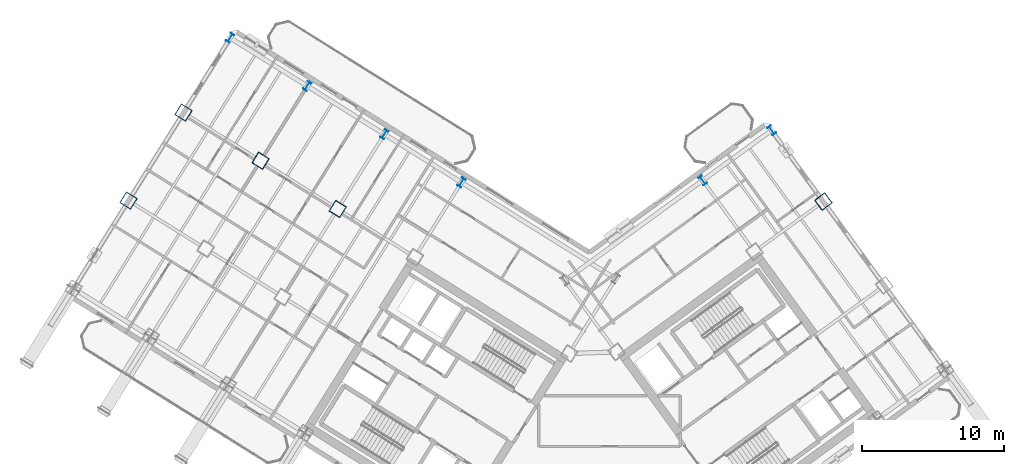
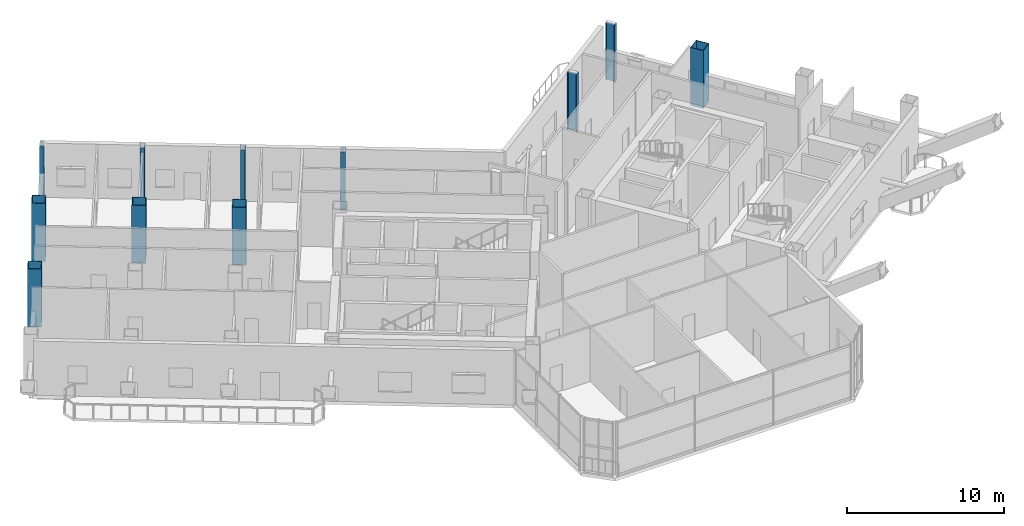
# One storey, part 2 of 32: 11 columns.
"""IFC4 building model written with IfcOpenShell, lengths in metres."""

from ifc_helpers import new_model, si_unit, direction, frame, origin, origin_2d, place, context, subcontext, project, spatial, hollow_rectangle, i_section, extrude, source, transform, mapped, material, material_profile, profile_set, type_object, element, save


model = new_model("IFC4")

# Units and contexts
model_context = context("Model", 3, precision=1e-05, world=origin(), true_north=direction((0.0, 1.0)))
body_context = subcontext(model_context, "Body", "Model", "MODEL_VIEW")
ifc_project = project(units=[si_unit("LENGTHUNIT", "METRE"), si_unit("AREAUNIT", "SQUARE_METRE"), si_unit("VOLUMEUNIT", "CUBIC_METRE"), si_unit("PLANEANGLEUNIT", "RADIAN"), si_unit("MASSUNIT", "GRAM", prefix="KILO")], contexts=[model_context])

# Site, building, storey
site_placement = place(None, origin())
site = spatial("IfcSite", under=ifc_project, at=site_placement, CompositionType="ELEMENT")
building_placement = place(site_placement, origin())
building = spatial("IfcBuilding", under=site, at=building_placement, Name="Tlacorven Tower", CompositionType="ELEMENT")
storey_placement = place(building_placement, frame((0.0, 0.0, 123.300048828125)))
storey = spatial("IfcBuildingStorey", under=building, at=storey_placement, Name="L31", CompositionType="ELEMENT", Elevation=123.300048828125)

# Columns
ifc_material = material(Name="Steel S460M", Category="steel")
ifc_material_profile_1 = material_profile(ifc_material, i_section(OverallWidth=0.300048828125, OverallDepth=0.64990234375, WebThickness=0.01611328125, FlangeThickness=0.031005859375, at=origin_2d()), Name="HEB 650")
ifc_profile_set_1 = profile_set([ifc_material_profile_1], Name="Steel S460M")
column_type_1 = type_object("IfcColumnType", Name="COL-TWR-P1", PredefinedType="COLUMN", material=ifc_profile_set_1)
shared_shape_1 = source(origin(), body_context, "Body", "SweptSolid", [
    extrude(i_section(OverallWidth=0.300048828125, OverallDepth=0.64990234375, WebThickness=0.01611328125, FlangeThickness=0.031005859375, at=origin_2d()), origin(), (0.0, 0.0, 1.0), 4.5),
])
for number, where, z_axis, x_axis, name in (
    (1, (33.21337890625, 36.50927734375, 0.0), (0.0, 0.0, 1.0), (-0.848048096156, 0.529919264233, 0.0), "L31 column COL-L31-W3-1"),
    (2, (27.785888671875, 39.900634765625, 0.0), (0.0, 0.0, 1.0), (-0.848048096156, 0.529919264233, 0.0), "L31 column COL-L31-W4-1"),
    (3, (22.3583984375, 43.292236328125, 0.0), (0.0, 0.0, 1.0), (-0.848048096156, 0.529919264233, 0.0), "L31 column COL-L31-W5-1"),
    (4, (16.930908203125, 46.68359375, 0.0), (0.0, 0.0, 1.0), (-0.848048096156, 0.529919264233, 0.0), "L31 column COL-L31-W6-1"),
    (5, (50.187744140625, 36.654296875, 0.0), (0.0, 0.0, 1.0), (0.809016994375, 0.587785252292, 0.0), "L31 column COL-L31-E3-4"),
    (6, (55.041748046875, 40.18115234375, 0.0), (0.0, 0.0, 1.0), (0.809016994375, 0.587785252292, 0.0), "L31 column COL-L31-E4-4"),
):
    element("IfcColumn", number, at=place(storey_placement, frame(where, z_axis=z_axis, x_axis=x_axis)), inside=storey, type_object=column_type_1, Name=name, PredefinedType="COLUMN", context=body_context, shape_type="MappedRepresentation", body=[
        mapped(shared_shape_1, transform((0.0, 0.0, 0.0), scale=1.0)),
    ])
ifc_material_profile_2 = material_profile(ifc_material, hollow_rectangle(XDim=0.89990234375, YDim=0.89990234375, WallThickness=0.035888671875, at=origin_2d()), Name="BOX 900X900X36")
ifc_profile_set_2 = profile_set([ifc_material_profile_2], Name="Steel S460M")
column_type_2 = type_object("IfcColumnType", Name="COL-TWR-S2", PredefinedType="COLUMN", material=ifc_profile_set_2)
shared_shape_2 = source(origin(), body_context, "Body", "SweptSolid", [
    extrude(hollow_rectangle(XDim=0.89990234375, YDim=0.89990234375, WallThickness=0.035888671875, at=origin_2d()), origin(), (0.0, 0.0, 1.0), 4.5),
])
for number, where, z_axis, x_axis, name in (
    (7, (24.50048828125, 34.642822265625, 0.0), (0.0, 0.0, 1.0), (-0.848048096156, 0.529919264233, 0.0), "L31 column COL-L31-W4-2"),
    (8, (19.072998046875, 38.034423828125, 0.0), (0.0, 0.0, 1.0), (-0.848048096156, 0.529919264233, 0.0), "L31 column COL-L31-W5-2"),
    (9, (13.6455078125, 41.42578125, 0.0), (0.0, 0.0, 1.0), (-0.848048096156, 0.529919264233, 0.0), "L31 column COL-L31-W6-2"),
    (10, (9.777099609375, 35.235107421875, 0.0), (0.0, 0.0, 1.0), (-0.848048096156, 0.529919264233, 0.0), "L31 column COL-L31-W6-3"),
    (11, (58.68603515625, 35.165283203125, 0.0), (0.0, 0.0, 1.0), (0.809016994375, 0.587785252292, 0.0), "L31 column COL-L31-E4-3"),
):
    element("IfcColumn", number, at=place(storey_placement, frame(where, z_axis=z_axis, x_axis=x_axis)), inside=storey, type_object=column_type_2, Name=name, PredefinedType="COLUMN", context=body_context, shape_type="MappedRepresentation", body=[
        mapped(shared_shape_2, transform((0.0, 0.0, 0.0), scale=1.0)),
    ])

save(model, "model.ifc")
